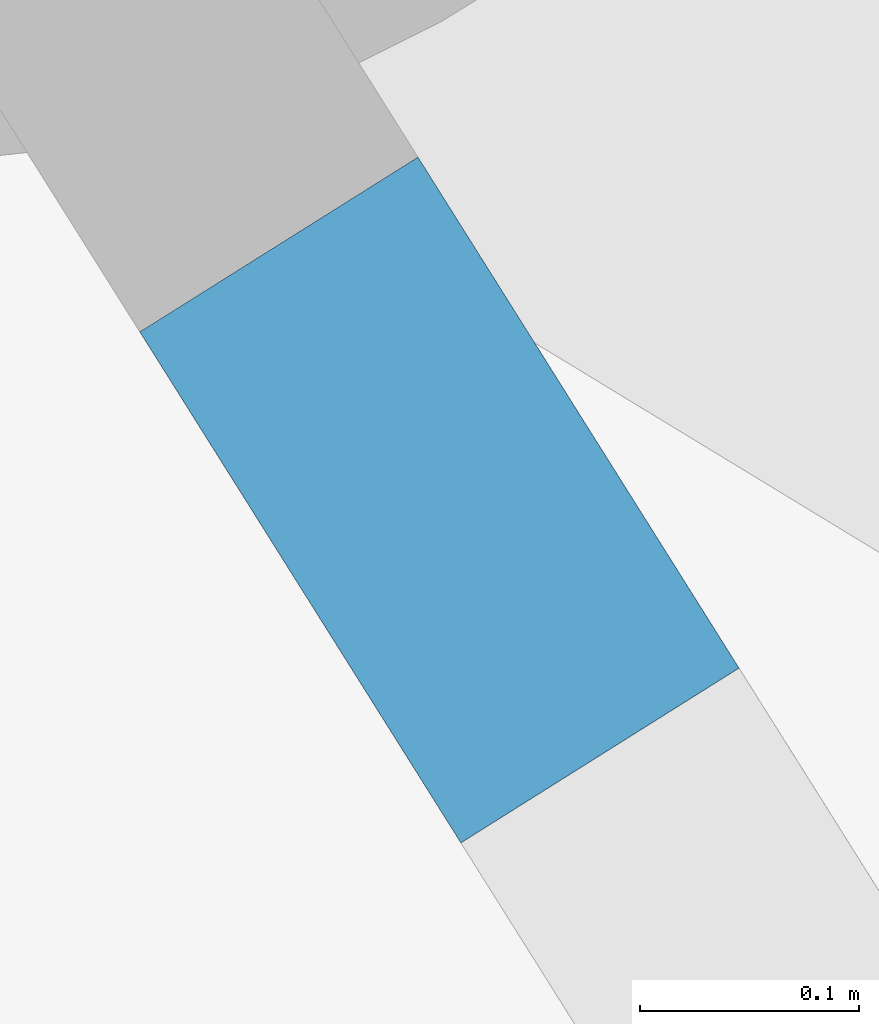
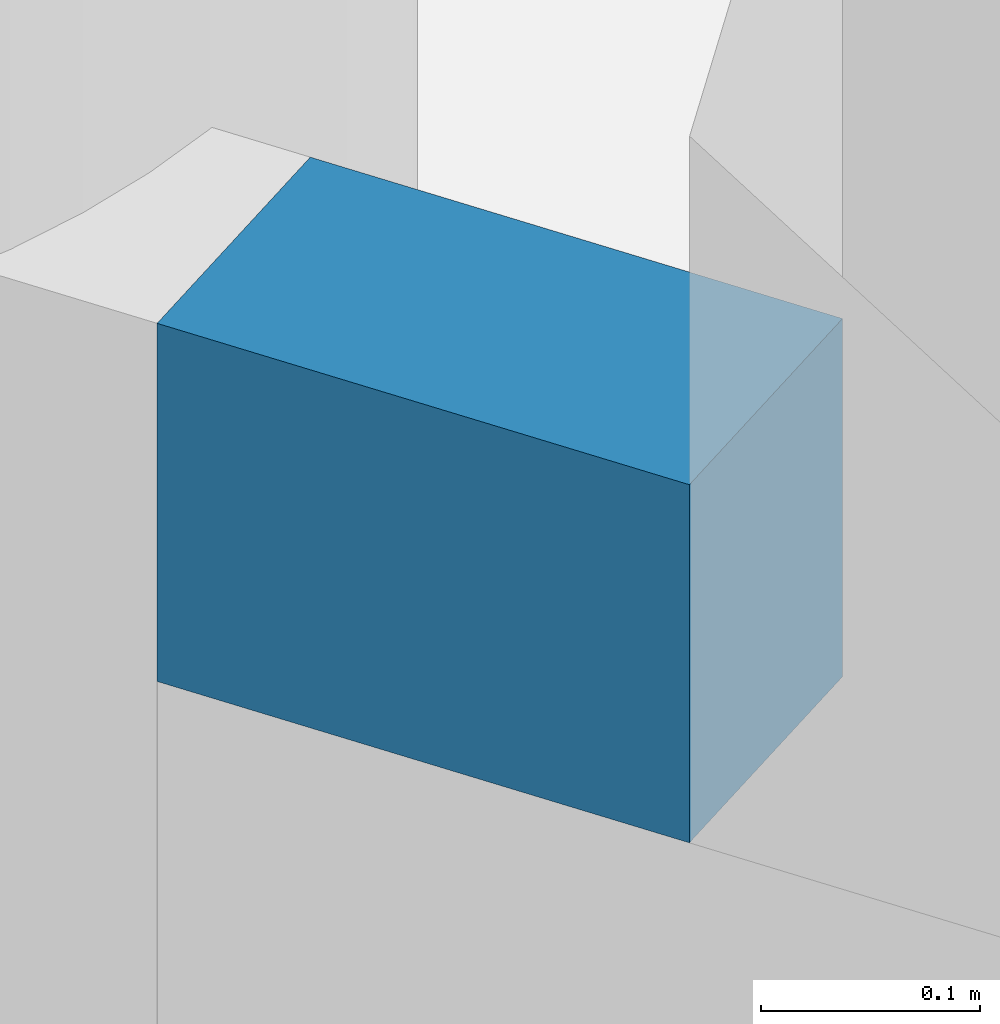
# One storey, part 79 of 173: 1 wall.
"""IFC4 building model written with IfcOpenShell, lengths in metres."""

from ifc_helpers import new_model, si_unit, direction, frame, frame_2d, origin, place, context, subcontext, project, spatial, rectangle, extrude, material, layer, layer_set, type_object, element, save


model = new_model("IFC4")

# Units and contexts
model_context = context("Model", 3, precision=1e-05, world=origin(), true_north=direction((0.0, 1.0)))
body_context = subcontext(model_context, "Body", "Model", "MODEL_VIEW")
ifc_project = project(units=[si_unit("LENGTHUNIT", "METRE"), si_unit("AREAUNIT", "SQUARE_METRE"), si_unit("VOLUMEUNIT", "CUBIC_METRE"), si_unit("PLANEANGLEUNIT", "RADIAN"), si_unit("MASSUNIT", "GRAM", prefix="KILO")], contexts=[model_context])

# Site, building, storey
site_placement = place(None, origin())
site = spatial("IfcSite", under=ifc_project, at=site_placement, CompositionType="ELEMENT")
building_placement = place(site_placement, origin())
building = spatial("IfcBuilding", under=site, at=building_placement, Name="Meseta Stadium", CompositionType="ELEMENT")
storey_placement = place(building_placement, frame((0.0, 0.0, 18.0)))
storey = spatial("IfcBuildingStorey", under=building, at=storey_placement, Name="L03", CompositionType="ELEMENT", Elevation=18.0)

# Wall
ifc_material = material(Name="Masonry blockwork", Category="masonry")
ifc_layer = layer(ifc_material, 0.14990234375)
ifc_layer_set = layer_set([ifc_layer], Name="Partition 150")
wall_type = type_object("IfcWallType", Name="Partition 150", PredefinedType="PARTITIONING", material=ifc_layer_set)
wall_placement = place(storey_placement, frame((-72.142822265625, 78.552490234375, 4.5), z_axis=(0.0, 0.0, 1.0), x_axis=(0.531989948736, -0.846750668405, 0.0)))
element("IfcWall", 1, at=wall_placement, inside=storey, type_object=wall_type, Name="Stair vestibule wall L03 core 13", PredefinedType="PARTITIONING", context=body_context, shape_type="SweptSolid", body=[
    extrude(rectangle(XDim=0.275390625, YDim=0.14990234375, at=frame_2d((0.1376953125, 0.0))), origin(), (0.0, 0.0, 1.0), 0.199951171875),
])

save(model, "model.ifc")
